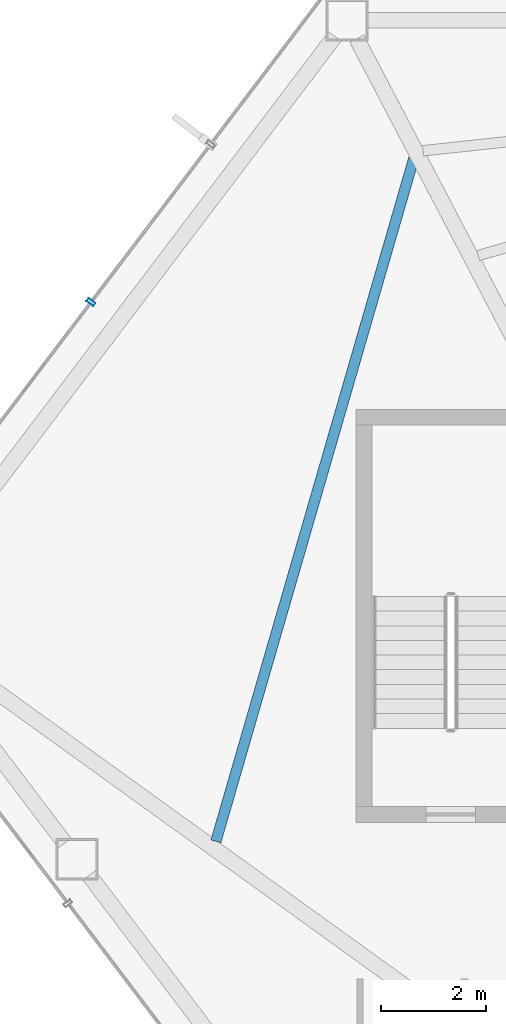
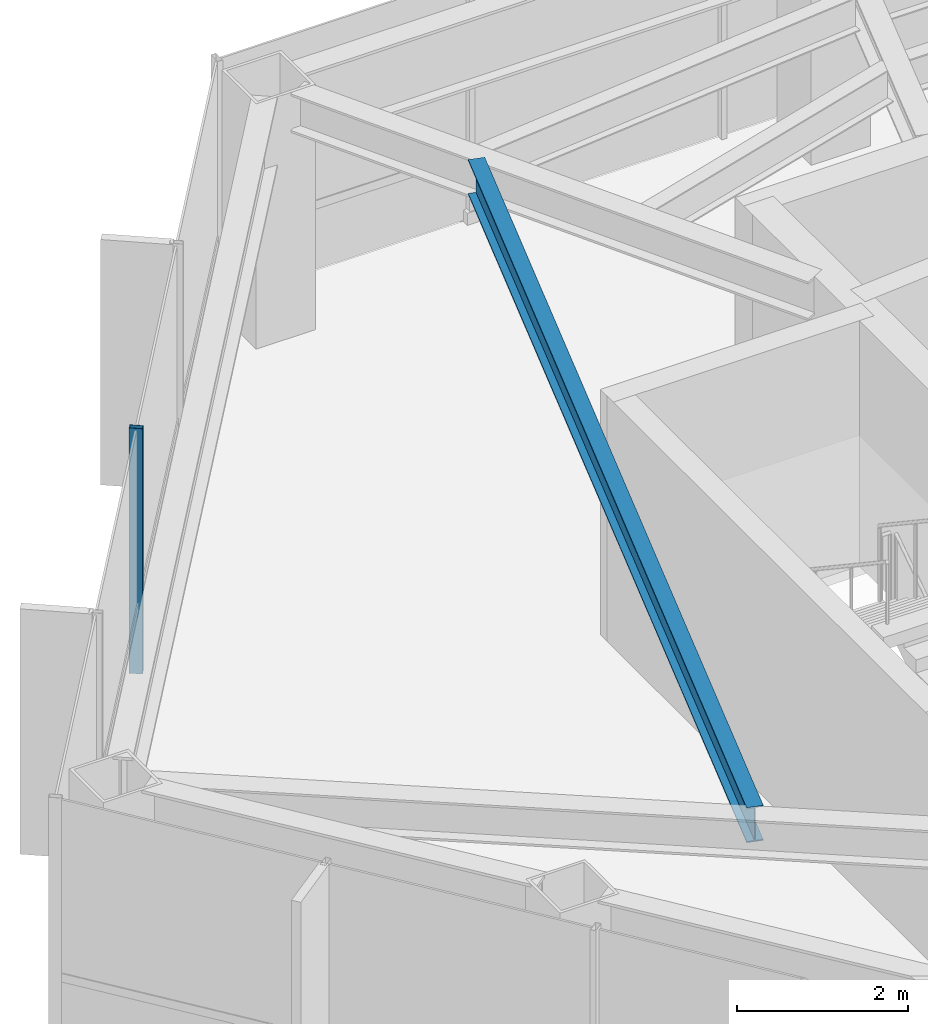
# One storey, part 11 of 29: 1 beam, 1 member, 1 element without a shape of its own.
"""IFC4 building model written with IfcOpenShell, lengths in metres."""

from ifc_helpers import new_model, si_unit, direction, frame, origin, origin_2d, place, context, subcontext, project, spatial, hollow_rectangle, i_section, extrude, material, layer, layer_set, material_profile, profile_set, type_object, element, aggregate, save


model = new_model("IFC4")

# Units and contexts
model_context = context("Model", 3, precision=1e-05, world=origin(), true_north=direction((0.0, 1.0)))
body_context = subcontext(model_context, "Body", "Model", "MODEL_VIEW")
ifc_project = project(units=[si_unit("LENGTHUNIT", "METRE"), si_unit("AREAUNIT", "SQUARE_METRE"), si_unit("VOLUMEUNIT", "CUBIC_METRE"), si_unit("PLANEANGLEUNIT", "RADIAN"), si_unit("MASSUNIT", "GRAM", prefix="KILO")], contexts=[model_context])

# Site, building, storey
site_placement = place(None, origin())
site = spatial("IfcSite", under=ifc_project, at=site_placement, CompositionType="ELEMENT")
building_placement = place(site_placement, origin())
building = spatial("IfcBuilding", under=site, at=building_placement, Name="Zarrinselat Tower", CompositionType="ELEMENT")
storey_placement = place(building_placement, frame((0.0, 0.0, 138.3798828125)))
storey = spatial("IfcBuildingStorey", under=building, at=storey_placement, Name="L33", CompositionType="ELEMENT", Elevation=138.3798828125)

# Beam
ifc_material_1 = material(Name="Steel S355J2", Category="steel")
ifc_material_profile_1 = material_profile(ifc_material_1, i_section(OverallWidth=0.199951171875, OverallDepth=0.5, WebThickness=0.01025390625, FlangeThickness=0.01611328125, at=origin_2d()), Name="IPE 500")
ifc_profile_set_1 = profile_set([ifc_material_profile_1], Name="Steel S355J2")
beam_type = type_object("IfcBeamType", Name="BM-IPE500", PredefinedType="JOIST", material=ifc_profile_set_1)
beam_placement = place(storey_placement, frame((22.394287109375, 32.784912109375, 3.25), z_axis=(0.278293361775, 0.960496124298, 0.0), x_axis=(-0.960496124298, 0.278293361775, 0.0)))
element("IfcBeam", 1, at=beam_placement, inside=storey, type_object=beam_type, Name="L33 Composite Floor Joist 10-1", PredefinedType="JOIST", context=body_context, shape_type="SweptSolid", body=[
    extrude(i_section(OverallWidth=0.199951171875, OverallDepth=0.5, WebThickness=0.01025390625, FlangeThickness=0.01611328125, at=origin_2d()), origin(), (0.0, 0.0, 1.0), 13.604736328125),
])

# Curtain wall, member
ifc_material_2 = material(Name="Extruded Aluminium Alloy EN AW-6063 T6", Category="aluminium")
ifc_layer = layer(ifc_material_2, 0.175048828125)
ifc_layer_set = layer_set([ifc_layer], Name="Extruded Aluminium Alloy EN AW-6063 T6")
curtain_wall_type = type_object("IfcCurtainWallType", Name="CWS-HTL", PredefinedType="NOTDEFINED", material=ifc_layer_set)
curtain_wall_placement = place(storey_placement, origin())
curtain_wall = element("IfcCurtainWall", 2, at=curtain_wall_placement, inside=storey, type_object=curtain_wall_type, Name="L33 Unitised Curtain Wall CW-L33-E02", PredefinedType="NOTDEFINED")
ifc_material_3 = material(Name="Extruded Aluminium Alloy EN AW-6063 T6", Category="aluminium")
ifc_material_profile_2 = material_profile(ifc_material_3, hollow_rectangle(XDim=0.070068359375, YDim=0.159912109375, WallThickness=0.00390625, at=origin_2d()), Name="RHS 160x70x4")
ifc_profile_set_2 = profile_set([ifc_material_profile_2], Name="Extruded Aluminium Alloy EN AW-6063 T6")
member_type = type_object("IfcMemberType", Name="MEM-CW-MUL2", PredefinedType="MULLION", material=ifc_profile_set_2)
member_placement = place(storey_placement, frame((20.001953125, 43.10498046875, 0.0), z_axis=(0.0, 0.0, 1.0), x_axis=(-0.603859211262, -0.797090994162, 0.0)))
member = element("IfcMember", 3, at=member_placement, type_object=member_type, Name="CW-L33-E02 Mullion 2", PredefinedType="MULLION", context=body_context, shape_type="SweptSolid", body=[
    extrude(hollow_rectangle(XDim=0.070068359375, YDim=0.159912109375, WallThickness=0.00390625, at=origin_2d()), origin(), (0.0, 0.0, 1.0), 3.5),
])
aggregate(curtain_wall, [member])

save(model, "model.ifc")
